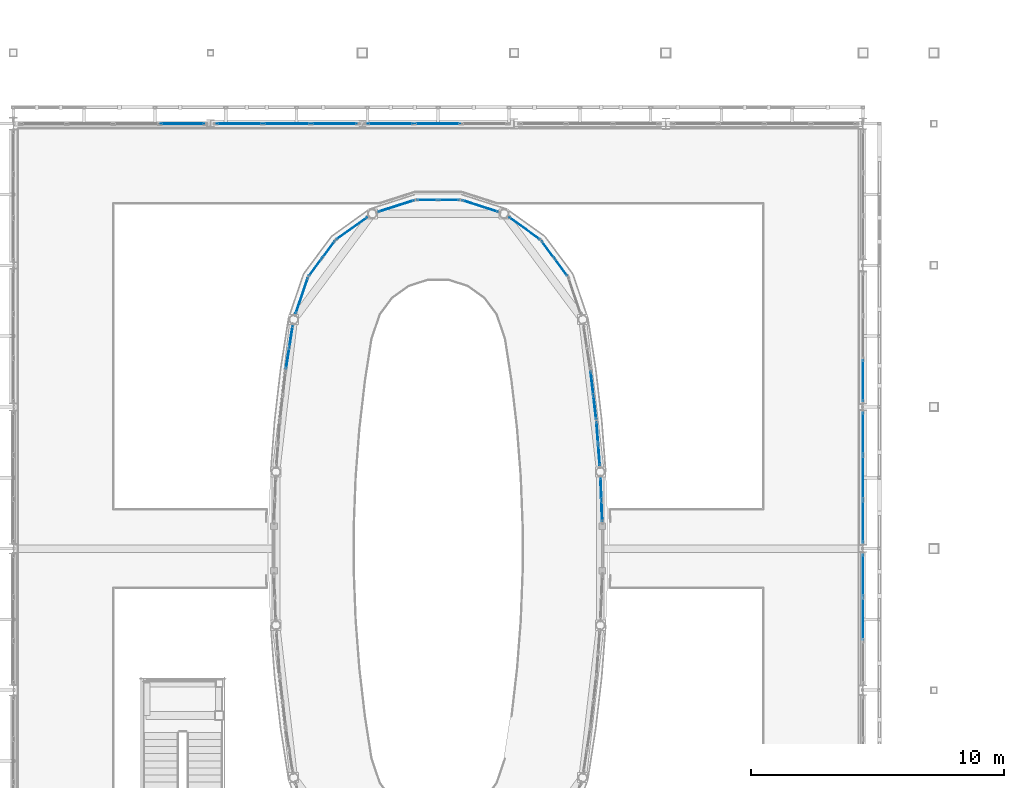
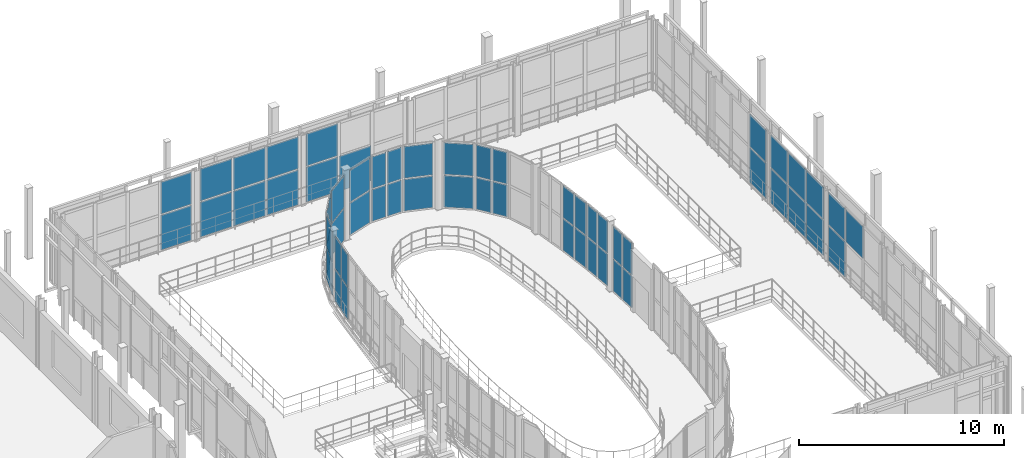
# One storey, part 99 of 138: 60 plates, 18 elements without a shape of their own.
"""IFC4 building model written with IfcOpenShell, lengths in metres."""

from ifc_helpers import new_model, si_unit, direction, frame, origin, origin_2d, place, context, subcontext, project, spatial, rectangle, extrude, material, layer, layer_set, type_object, element, aggregate, save


model = new_model("IFC4")

# Units and contexts
model_context = context("Model", 3, precision=1e-05, world=origin(), true_north=direction((0.0, 1.0)))
body_context = subcontext(model_context, "Body", "Model", "MODEL_VIEW")
ifc_project = project(units=[si_unit("LENGTHUNIT", "METRE"), si_unit("AREAUNIT", "SQUARE_METRE"), si_unit("VOLUMEUNIT", "CUBIC_METRE"), si_unit("PLANEANGLEUNIT", "RADIAN"), si_unit("MASSUNIT", "GRAM", prefix="KILO")], contexts=[model_context])

# Site, building, storey
site_placement = place(None, origin())
site = spatial("IfcSite", under=ifc_project, at=site_placement, CompositionType="ELEMENT")
building_placement = place(site_placement, origin())
building = spatial("IfcBuilding", under=site, at=building_placement, Name="Vinh Khe Railworks Police Headquarters", CompositionType="ELEMENT")
storey_placement = place(building_placement, frame((0.0, 0.0, 9.0)))
storey = spatial("IfcBuildingStorey", under=building, at=storey_placement, Name="L02", CompositionType="ELEMENT", Elevation=9.0)

# Curtain wall, plates
ifc_material_1 = material(Name="Anodised aluminium and acoustic laminated glass", Category="aluminium")
ifc_layer_1 = layer(ifc_material_1, 0.159912109375)
ifc_layer_set_1 = layer_set([ifc_layer_1], Name="Anodised aluminium and acoustic laminated glass")
curtain_wall_type_1 = type_object("IfcCurtainWallType", Name="CW-DRUM-CHORD", PredefinedType="USERDEFINED", material=ifc_layer_set_1)
curtain_wall_1_placement = place(storey_placement, origin())
curtain_wall_1 = element("IfcCurtainWall", 1, at=curtain_wall_1_placement, inside=storey, type_object=curtain_wall_type_1, Name="Elliptical Command Drum Glazing L02 Chord 6", ObjectType="DRUM FACADE GLAZING", PredefinedType="USERDEFINED")
ifc_material_2 = material(Name="Acoustic laminated solar-control glass", Category="glass")
ifc_layer_2 = layer(ifc_material_2, 0.031982421875)
ifc_layer_set_2 = layer_set([ifc_layer_2], Name="Acoustic laminated solar-control glass")
plate_type_1 = type_object("IfcPlateType", Name="PAN-DRUM-32", PredefinedType="CURTAIN_PANEL", material=ifc_layer_set_2)
plate_1_placement = place(storey_placement, frame((49.672119140625, 43.483154296875, 0.06494140625), z_axis=(0.0, 0.0, 1.0), x_axis=(-0.038512684833, 0.999258111354, 0.0)))
plate_1 = element("IfcPlate", 2, at=plate_1_placement, type_object=plate_type_1, Name="CW-02 panel 1.1", PredefinedType="CURTAIN_PANEL", context=body_context, shape_type="SweptSolid", body=[
    extrude(rectangle(XDim=0.814697265625, YDim=0.031982421875, at=origin_2d()), origin(), (0.0, 0.0, 1.0), 1.887451171875),
])
plate_2_placement = place(storey_placement, frame((49.672119140625, 43.483154296875, 2.017578125), z_axis=(0.0, 0.0, 1.0), x_axis=(-0.038512684833, 0.999258111354, 0.0)))
plate_2 = element("IfcPlate", 3, at=plate_2_placement, type_object=plate_type_1, Name="CW-02 panel 1.2", PredefinedType="CURTAIN_PANEL", context=body_context, shape_type="SweptSolid", body=[
    extrude(rectangle(XDim=0.814697265625, YDim=0.031982421875, at=origin_2d()), origin(), (0.0, 0.0, 1.0), 1.887451171875),
])
plate_3_placement = place(storey_placement, frame((49.63818359375, 44.3623046875, 0.06494140625), z_axis=(0.0, 0.0, 1.0), x_axis=(-0.038512684833, 0.999258111354, 0.0)))
plate_3 = element("IfcPlate", 4, at=plate_3_placement, type_object=plate_type_1, Name="CW-02 panel 2.1", PredefinedType="CURTAIN_PANEL", context=body_context, shape_type="SweptSolid", body=[
    extrude(rectangle(XDim=0.814697265625, YDim=0.031982421875, at=origin_2d()), origin(), (0.0, 0.0, 1.0), 1.887451171875),
])
plate_4_placement = place(storey_placement, frame((49.63818359375, 44.3623046875, 2.017578125), z_axis=(0.0, 0.0, 1.0), x_axis=(-0.038512684833, 0.999258111354, 0.0)))
plate_4 = element("IfcPlate", 5, at=plate_4_placement, type_object=plate_type_1, Name="CW-02 panel 2.2", PredefinedType="CURTAIN_PANEL", context=body_context, shape_type="SweptSolid", body=[
    extrude(rectangle(XDim=0.814697265625, YDim=0.031982421875, at=origin_2d()), origin(), (0.0, 0.0, 1.0), 1.887451171875),
])
aggregate(curtain_wall_1, [plate_1, plate_2, plate_3, plate_4])

curtain_wall_2_placement = place(storey_placement, origin())
curtain_wall_2 = element("IfcCurtainWall", 6, at=curtain_wall_2_placement, inside=storey, type_object=curtain_wall_type_1, Name="Elliptical Command Drum Glazing L02 Chord 7", ObjectType="DRUM FACADE GLAZING", PredefinedType="USERDEFINED")
plate_5_placement = place(storey_placement, frame((49.560791015625, 45.7001953125, 0.06494140625), z_axis=(0.0, 0.0, 1.0), x_axis=(-0.076968911839, 0.997033493224, 0.0)))
plate_5 = element("IfcPlate", 7, at=plate_5_placement, type_object=plate_type_1, Name="CW-02 panel 1.1", PredefinedType="CURTAIN_PANEL", context=body_context, shape_type="SweptSolid", body=[
    extrude(rectangle(XDim=0.814697265625, YDim=0.031982421875, at=origin_2d()), origin(), (0.0, 0.0, 1.0), 1.887451171875),
])
plate_6_placement = place(storey_placement, frame((49.560791015625, 45.7001953125, 2.017578125), z_axis=(0.0, 0.0, 1.0), x_axis=(-0.076968911839, 0.997033493224, 0.0)))
plate_6 = element("IfcPlate", 8, at=plate_6_placement, type_object=plate_type_1, Name="CW-02 panel 1.2", PredefinedType="CURTAIN_PANEL", context=body_context, shape_type="SweptSolid", body=[
    extrude(rectangle(XDim=0.814697265625, YDim=0.031982421875, at=origin_2d()), origin(), (0.0, 0.0, 1.0), 1.887451171875),
])
plate_7_placement = place(storey_placement, frame((49.4931640625, 46.57763671875, 0.06494140625), z_axis=(0.0, 0.0, 1.0), x_axis=(-0.076968911839, 0.997033493224, 0.0)))
plate_7 = element("IfcPlate", 9, at=plate_7_placement, type_object=plate_type_1, Name="CW-02 panel 2.1", PredefinedType="CURTAIN_PANEL", context=body_context, shape_type="SweptSolid", body=[
    extrude(rectangle(XDim=0.814697265625, YDim=0.031982421875, at=origin_2d()), origin(), (0.0, 0.0, 1.0), 1.887451171875),
])
plate_8_placement = place(storey_placement, frame((49.4931640625, 46.57763671875, 2.017578125), z_axis=(0.0, 0.0, 1.0), x_axis=(-0.076968911839, 0.997033493224, 0.0)))
plate_8 = element("IfcPlate", 10, at=plate_8_placement, type_object=plate_type_1, Name="CW-02 panel 2.2", PredefinedType="CURTAIN_PANEL", context=body_context, shape_type="SweptSolid", body=[
    extrude(rectangle(XDim=0.814697265625, YDim=0.031982421875, at=origin_2d()), origin(), (0.0, 0.0, 1.0), 1.887451171875),
])
aggregate(curtain_wall_2, [plate_5, plate_6, plate_7, plate_8])

curtain_wall_3_placement = place(storey_placement, origin())
curtain_wall_3 = element("IfcCurtainWall", 11, at=curtain_wall_3_placement, inside=storey, type_object=curtain_wall_type_1, Name="Elliptical Command Drum Glazing L02 Chord 8", ObjectType="DRUM FACADE GLAZING", PredefinedType="USERDEFINED")
plate_9_placement = place(storey_placement, frame((49.396484375, 47.56689453125, 0.06494140625), z_axis=(0.0, 0.0, 1.0), x_axis=(-0.115317737498, 0.993328656296, 0.0)))
plate_9 = element("IfcPlate", 12, at=plate_9_placement, type_object=plate_type_1, Name="CW-02 panel 1.1", PredefinedType="CURTAIN_PANEL", context=body_context, shape_type="SweptSolid", body=[
    extrude(rectangle(XDim=0.913818359375, YDim=0.031982421875, at=origin_2d()), origin(), (0.0, 0.0, 1.0), 1.887451171875),
])
plate_10_placement = place(storey_placement, frame((49.396484375, 47.56689453125, 2.017578125), z_axis=(0.0, 0.0, 1.0), x_axis=(-0.115317737498, 0.993328656296, 0.0)))
plate_10 = element("IfcPlate", 13, at=plate_10_placement, type_object=plate_type_1, Name="CW-02 panel 1.2", PredefinedType="CURTAIN_PANEL", context=body_context, shape_type="SweptSolid", body=[
    extrude(rectangle(XDim=0.913818359375, YDim=0.031982421875, at=origin_2d()), origin(), (0.0, 0.0, 1.0), 1.887451171875),
])
plate_11_placement = place(storey_placement, frame((49.28369140625, 48.5390625, 0.06494140625), z_axis=(0.0, 0.0, 1.0), x_axis=(-0.115317737498, 0.993328656296, 0.0)))
plate_11 = element("IfcPlate", 14, at=plate_11_placement, type_object=plate_type_1, Name="CW-02 panel 2.1", PredefinedType="CURTAIN_PANEL", context=body_context, shape_type="SweptSolid", body=[
    extrude(rectangle(XDim=0.913818359375, YDim=0.031982421875, at=origin_2d()), origin(), (0.0, 0.0, 1.0), 1.887451171875),
])
plate_12_placement = place(storey_placement, frame((49.28369140625, 48.5390625, 2.017578125), z_axis=(0.0, 0.0, 1.0), x_axis=(-0.115317737498, 0.993328656296, 0.0)))
plate_12 = element("IfcPlate", 15, at=plate_12_placement, type_object=plate_type_1, Name="CW-02 panel 2.2", PredefinedType="CURTAIN_PANEL", context=body_context, shape_type="SweptSolid", body=[
    extrude(rectangle(XDim=0.913818359375, YDim=0.031982421875, at=origin_2d()), origin(), (0.0, 0.0, 1.0), 1.887451171875),
])
aggregate(curtain_wall_3, [plate_9, plate_10, plate_11, plate_12])

curtain_wall_4_placement = place(storey_placement, origin())
curtain_wall_4 = element("IfcCurtainWall", 16, at=curtain_wall_4_placement, inside=storey, type_object=curtain_wall_type_1, Name="Elliptical Command Drum Glazing L02 Chord 11", ObjectType="DRUM FACADE GLAZING", PredefinedType="USERDEFINED")
plate_13_placement = place(storey_placement, frame((48.056884765625, 53.126708984375, 0.06494140625), z_axis=(0.0, 0.0, 1.0), x_axis=(-0.596528425784, 0.802591949394, 0.0)))
plate_13 = element("IfcPlate", 17, at=plate_13_placement, type_object=plate_type_1, Name="CW-02 panel 1.1", PredefinedType="CURTAIN_PANEL", context=body_context, shape_type="SweptSolid", body=[
    extrude(rectangle(XDim=0.799560546875, YDim=0.031982421875, at=origin_2d()), origin(), (0.0, 0.0, 1.0), 1.887451171875),
])
plate_14_placement = place(storey_placement, frame((48.056884765625, 53.126708984375, 2.017578125), z_axis=(0.0, 0.0, 1.0), x_axis=(-0.596528425784, 0.802591949394, 0.0)))
plate_14 = element("IfcPlate", 18, at=plate_14_placement, type_object=plate_type_1, Name="CW-02 panel 1.2", PredefinedType="CURTAIN_PANEL", context=body_context, shape_type="SweptSolid", body=[
    extrude(rectangle(XDim=0.799560546875, YDim=0.031982421875, at=origin_2d()), origin(), (0.0, 0.0, 1.0), 1.887451171875),
])
plate_15_placement = place(storey_placement, frame((47.541259765625, 53.820556640625, 0.06494140625), z_axis=(0.0, 0.0, 1.0), x_axis=(-0.596528425784, 0.802591949394, 0.0)))
plate_15 = element("IfcPlate", 19, at=plate_15_placement, type_object=plate_type_1, Name="CW-02 panel 2.1", PredefinedType="CURTAIN_PANEL", context=body_context, shape_type="SweptSolid", body=[
    extrude(rectangle(XDim=0.799560546875, YDim=0.031982421875, at=origin_2d()), origin(), (0.0, 0.0, 1.0), 1.887451171875),
])
plate_16_placement = place(storey_placement, frame((47.541259765625, 53.820556640625, 2.017578125), z_axis=(0.0, 0.0, 1.0), x_axis=(-0.596528425784, 0.802591949394, 0.0)))
plate_16 = element("IfcPlate", 20, at=plate_16_placement, type_object=plate_type_1, Name="CW-02 panel 2.2", PredefinedType="CURTAIN_PANEL", context=body_context, shape_type="SweptSolid", body=[
    extrude(rectangle(XDim=0.799560546875, YDim=0.031982421875, at=origin_2d()), origin(), (0.0, 0.0, 1.0), 1.887451171875),
])
aggregate(curtain_wall_4, [plate_13, plate_14, plate_15, plate_16])

curtain_wall_5_placement = place(storey_placement, origin())
curtain_wall_5 = element("IfcCurtainWall", 21, at=curtain_wall_5_placement, inside=storey, type_object=curtain_wall_type_1, Name="Elliptical Command Drum Glazing L02 Chord 12", ObjectType="DRUM FACADE GLAZING", PredefinedType="USERDEFINED")
plate_17_placement = place(storey_placement, frame((46.614990234375, 54.657958984375, 0.06494140625), z_axis=(0.0, 0.0, 1.0), x_axis=(-0.813249321306, 0.581915407422, 0.0)))
plate_17 = element("IfcPlate", 22, at=plate_17_placement, type_object=plate_type_1, Name="CW-02 panel 1.1", PredefinedType="CURTAIN_PANEL", context=body_context, shape_type="SweptSolid", body=[
    extrude(rectangle(XDim=1.466064453125, YDim=0.031982421875, at=origin_2d()), origin(), (0.0, 0.0, 1.0), 1.887451171875),
])
plate_18_placement = place(storey_placement, frame((46.614990234375, 54.657958984375, 2.017578125), z_axis=(0.0, 0.0, 1.0), x_axis=(-0.813249321306, 0.581915407422, 0.0)))
plate_18 = element("IfcPlate", 23, at=plate_18_placement, type_object=plate_type_1, Name="CW-02 panel 1.2", PredefinedType="CURTAIN_PANEL", context=body_context, shape_type="SweptSolid", body=[
    extrude(rectangle(XDim=1.466064453125, YDim=0.031982421875, at=origin_2d()), origin(), (0.0, 0.0, 1.0), 1.887451171875),
])
aggregate(curtain_wall_5, [plate_17, plate_18])

curtain_wall_6_placement = place(storey_placement, origin())
curtain_wall_6 = element("IfcCurtainWall", 24, at=curtain_wall_6_placement, inside=storey, type_object=curtain_wall_type_1, Name="Elliptical Command Drum Glazing L02 Chord 13", ObjectType="DRUM FACADE GLAZING", PredefinedType="USERDEFINED")
plate_19_placement = place(storey_placement, frame((44.85693359375, 55.541748046875, 0.06494140625), z_axis=(0.0, 0.0, 1.0), x_axis=(-0.952167895959, 0.305575355525, 0.0)))
plate_19 = element("IfcPlate", 25, at=plate_19_placement, type_object=plate_type_1, Name="CW-02 panel 1.1", PredefinedType="CURTAIN_PANEL", context=body_context, shape_type="SweptSolid", body=[
    extrude(rectangle(XDim=1.466064453125, YDim=0.031982421875, at=origin_2d()), origin(), (0.0, 0.0, 1.0), 1.887451171875),
])
plate_20_placement = place(storey_placement, frame((44.85693359375, 55.541748046875, 2.017578125), z_axis=(0.0, 0.0, 1.0), x_axis=(-0.952167895959, 0.305575355525, 0.0)))
plate_20 = element("IfcPlate", 26, at=plate_20_placement, type_object=plate_type_1, Name="CW-02 panel 1.2", PredefinedType="CURTAIN_PANEL", context=body_context, shape_type="SweptSolid", body=[
    extrude(rectangle(XDim=1.466064453125, YDim=0.031982421875, at=origin_2d()), origin(), (0.0, 0.0, 1.0), 1.887451171875),
])
aggregate(curtain_wall_6, [plate_19, plate_20])

curtain_wall_7_placement = place(storey_placement, origin())
curtain_wall_7 = element("IfcCurtainWall", 27, at=curtain_wall_7_placement, inside=storey, type_object=curtain_wall_type_1, Name="Elliptical Command Drum Glazing L02 Chord 14", ObjectType="DRUM FACADE GLAZING", PredefinedType="USERDEFINED")
plate_21_placement = place(storey_placement, frame((43.63232421875, 55.78564453125, 0.06494140625), z_axis=(0.0, 0.0, 1.0), x_axis=(-1.0, 0.0, 0.0)))
plate_21 = element("IfcPlate", 28, at=plate_21_placement, type_object=plate_type_1, Name="CW-02 panel 1.1", PredefinedType="CURTAIN_PANEL", context=body_context, shape_type="SweptSolid", body=[
    extrude(rectangle(XDim=0.799560546875, YDim=0.031982421875, at=origin_2d()), origin(), (0.0, 0.0, 1.0), 1.887451171875),
])
plate_22_placement = place(storey_placement, frame((43.63232421875, 55.78564453125, 2.017578125), z_axis=(0.0, 0.0, 1.0), x_axis=(-1.0, 0.0, 0.0)))
plate_22 = element("IfcPlate", 29, at=plate_22_placement, type_object=plate_type_1, Name="CW-02 panel 1.2", PredefinedType="CURTAIN_PANEL", context=body_context, shape_type="SweptSolid", body=[
    extrude(rectangle(XDim=0.799560546875, YDim=0.031982421875, at=origin_2d()), origin(), (0.0, 0.0, 1.0), 1.887451171875),
])
plate_23_placement = place(storey_placement, frame((42.767822265625, 55.78564453125, 0.06494140625), z_axis=(0.0, 0.0, 1.0), x_axis=(-1.0, 0.0, 0.0)))
plate_23 = element("IfcPlate", 30, at=plate_23_placement, type_object=plate_type_1, Name="CW-02 panel 2.1", PredefinedType="CURTAIN_PANEL", context=body_context, shape_type="SweptSolid", body=[
    extrude(rectangle(XDim=0.799560546875, YDim=0.031982421875, at=origin_2d()), origin(), (0.0, 0.0, 1.0), 1.887451171875),
])
plate_24_placement = place(storey_placement, frame((42.767822265625, 55.78564453125, 2.017578125), z_axis=(0.0, 0.0, 1.0), x_axis=(-1.0, 0.0, 0.0)))
plate_24 = element("IfcPlate", 31, at=plate_24_placement, type_object=plate_type_1, Name="CW-02 panel 2.2", PredefinedType="CURTAIN_PANEL", context=body_context, shape_type="SweptSolid", body=[
    extrude(rectangle(XDim=0.799560546875, YDim=0.031982421875, at=origin_2d()), origin(), (0.0, 0.0, 1.0), 1.887451171875),
])
aggregate(curtain_wall_7, [plate_21, plate_22, plate_23, plate_24])

curtain_wall_8_placement = place(storey_placement, origin())
curtain_wall_8 = element("IfcCurtainWall", 32, at=curtain_wall_8_placement, inside=storey, type_object=curtain_wall_type_1, Name="Elliptical Command Drum Glazing L02 Chord 15", ObjectType="DRUM FACADE GLAZING", PredefinedType="USERDEFINED")
plate_25_placement = place(storey_placement, frame((41.543212890625, 55.541748046875, 0.06494140625), z_axis=(0.0, 0.0, 1.0), x_axis=(-0.952167895959, -0.305575355525, 0.0)))
plate_25 = element("IfcPlate", 33, at=plate_25_placement, type_object=plate_type_1, Name="CW-02 panel 1.1", PredefinedType="CURTAIN_PANEL", context=body_context, shape_type="SweptSolid", body=[
    extrude(rectangle(XDim=1.466064453125, YDim=0.031982421875, at=origin_2d()), origin(), (0.0, 0.0, 1.0), 1.887451171875),
])
plate_26_placement = place(storey_placement, frame((41.543212890625, 55.541748046875, 2.017578125), z_axis=(0.0, 0.0, 1.0), x_axis=(-0.952167895959, -0.305575355525, 0.0)))
plate_26 = element("IfcPlate", 34, at=plate_26_placement, type_object=plate_type_1, Name="CW-02 panel 1.2", PredefinedType="CURTAIN_PANEL", context=body_context, shape_type="SweptSolid", body=[
    extrude(rectangle(XDim=1.466064453125, YDim=0.031982421875, at=origin_2d()), origin(), (0.0, 0.0, 1.0), 1.887451171875),
])
aggregate(curtain_wall_8, [plate_25, plate_26])

curtain_wall_9_placement = place(storey_placement, origin())
curtain_wall_9 = element("IfcCurtainWall", 35, at=curtain_wall_9_placement, inside=storey, type_object=curtain_wall_type_1, Name="Elliptical Command Drum Glazing L02 Chord 16", ObjectType="DRUM FACADE GLAZING", PredefinedType="USERDEFINED")
plate_27_placement = place(storey_placement, frame((39.78515625, 54.657958984375, 0.06494140625), z_axis=(0.0, 0.0, 1.0), x_axis=(-0.813249321306, -0.581915407422, 0.0)))
plate_27 = element("IfcPlate", 36, at=plate_27_placement, type_object=plate_type_1, Name="CW-02 panel 1.1", PredefinedType="CURTAIN_PANEL", context=body_context, shape_type="SweptSolid", body=[
    extrude(rectangle(XDim=1.466064453125, YDim=0.031982421875, at=origin_2d()), origin(), (0.0, 0.0, 1.0), 1.887451171875),
])
plate_28_placement = place(storey_placement, frame((39.78515625, 54.657958984375, 2.017578125), z_axis=(0.0, 0.0, 1.0), x_axis=(-0.813249321306, -0.581915407422, 0.0)))
plate_28 = element("IfcPlate", 37, at=plate_28_placement, type_object=plate_type_1, Name="CW-02 panel 1.2", PredefinedType="CURTAIN_PANEL", context=body_context, shape_type="SweptSolid", body=[
    extrude(rectangle(XDim=1.466064453125, YDim=0.031982421875, at=origin_2d()), origin(), (0.0, 0.0, 1.0), 1.887451171875),
])
aggregate(curtain_wall_9, [plate_27, plate_28])

curtain_wall_10_placement = place(storey_placement, origin())
curtain_wall_10 = element("IfcCurtainWall", 38, at=curtain_wall_10_placement, inside=storey, type_object=curtain_wall_type_1, Name="Elliptical Command Drum Glazing L02 Chord 17", ObjectType="DRUM FACADE GLAZING", PredefinedType="USERDEFINED")
plate_29_placement = place(storey_placement, frame((38.85888671875, 53.820556640625, 0.06494140625), z_axis=(0.0, 0.0, 1.0), x_axis=(-0.596528425784, -0.802591949394, 0.0)))
plate_29 = element("IfcPlate", 39, at=plate_29_placement, type_object=plate_type_1, Name="CW-02 panel 1.1", PredefinedType="CURTAIN_PANEL", context=body_context, shape_type="SweptSolid", body=[
    extrude(rectangle(XDim=0.799560546875, YDim=0.031982421875, at=origin_2d()), origin(), (0.0, 0.0, 1.0), 1.887451171875),
])
plate_30_placement = place(storey_placement, frame((38.85888671875, 53.820556640625, 2.017578125), z_axis=(0.0, 0.0, 1.0), x_axis=(-0.596528425784, -0.802591949394, 0.0)))
plate_30 = element("IfcPlate", 40, at=plate_30_placement, type_object=plate_type_1, Name="CW-02 panel 1.2", PredefinedType="CURTAIN_PANEL", context=body_context, shape_type="SweptSolid", body=[
    extrude(rectangle(XDim=0.799560546875, YDim=0.031982421875, at=origin_2d()), origin(), (0.0, 0.0, 1.0), 1.887451171875),
])
plate_31_placement = place(storey_placement, frame((38.34326171875, 53.126708984375, 0.06494140625), z_axis=(0.0, 0.0, 1.0), x_axis=(-0.596528425784, -0.802591949394, 0.0)))
plate_31 = element("IfcPlate", 41, at=plate_31_placement, type_object=plate_type_1, Name="CW-02 panel 2.1", PredefinedType="CURTAIN_PANEL", context=body_context, shape_type="SweptSolid", body=[
    extrude(rectangle(XDim=0.799560546875, YDim=0.031982421875, at=origin_2d()), origin(), (0.0, 0.0, 1.0), 1.887451171875),
])
plate_32_placement = place(storey_placement, frame((38.34326171875, 53.126708984375, 2.017578125), z_axis=(0.0, 0.0, 1.0), x_axis=(-0.596528425784, -0.802591949394, 0.0)))
plate_32 = element("IfcPlate", 42, at=plate_32_placement, type_object=plate_type_1, Name="CW-02 panel 2.2", PredefinedType="CURTAIN_PANEL", context=body_context, shape_type="SweptSolid", body=[
    extrude(rectangle(XDim=0.799560546875, YDim=0.031982421875, at=origin_2d()), origin(), (0.0, 0.0, 1.0), 1.887451171875),
])
aggregate(curtain_wall_10, [plate_29, plate_30, plate_31, plate_32])

curtain_wall_11_placement = place(storey_placement, origin())
curtain_wall_11 = element("IfcCurtainWall", 43, at=curtain_wall_11_placement, inside=storey, type_object=curtain_wall_type_1, Name="Elliptical Command Drum Glazing L02 Chord 18", ObjectType="DRUM FACADE GLAZING", PredefinedType="USERDEFINED")
plate_33_placement = place(storey_placement, frame((37.808349609375, 51.99853515625, 0.06494140625), z_axis=(0.0, 0.0, 1.0), x_axis=(-0.322746129004, -0.946485571054, 0.0)))
plate_33 = element("IfcPlate", 44, at=plate_33_placement, type_object=plate_type_1, Name="CW-02 panel 1.1", PredefinedType="CURTAIN_PANEL", context=body_context, shape_type="SweptSolid", body=[
    extrude(rectangle(XDim=1.466064453125, YDim=0.031982421875, at=origin_2d()), origin(), (0.0, 0.0, 1.0), 1.887451171875),
])
plate_34_placement = place(storey_placement, frame((37.808349609375, 51.99853515625, 2.017578125), z_axis=(0.0, 0.0, 1.0), x_axis=(-0.322746129004, -0.946485571054, 0.0)))
plate_34 = element("IfcPlate", 45, at=plate_34_placement, type_object=plate_type_1, Name="CW-02 panel 1.2", PredefinedType="CURTAIN_PANEL", context=body_context, shape_type="SweptSolid", body=[
    extrude(rectangle(XDim=1.466064453125, YDim=0.031982421875, at=origin_2d()), origin(), (0.0, 0.0, 1.0), 1.887451171875),
])
aggregate(curtain_wall_11, [plate_33, plate_34])

curtain_wall_12_placement = place(storey_placement, origin())
curtain_wall_12 = element("IfcCurtainWall", 46, at=curtain_wall_12_placement, inside=storey, type_object=curtain_wall_type_1, Name="Elliptical Command Drum Glazing L02 Chord 19", ObjectType="DRUM FACADE GLAZING", PredefinedType="USERDEFINED")
plate_35_placement = place(storey_placement, frame((37.384033203125, 50.3935546875, 0.06494140625), z_axis=(0.0, 0.0, 1.0), x_axis=(-0.153490222159, -0.988150166575, 0.0)))
plate_35 = element("IfcPlate", 47, at=plate_35_placement, type_object=plate_type_1, Name="CW-02 panel 1.1", PredefinedType="CURTAIN_PANEL", context=body_context, shape_type="SweptSolid", body=[
    extrude(rectangle(XDim=0.814697265625, YDim=0.031982421875, at=origin_2d()), origin(), (0.0, 0.0, 1.0), 1.887451171875),
])
plate_36_placement = place(storey_placement, frame((37.384033203125, 50.3935546875, 2.017578125), z_axis=(0.0, 0.0, 1.0), x_axis=(-0.153490222159, -0.988150166575, 0.0)))
plate_36 = element("IfcPlate", 48, at=plate_36_placement, type_object=plate_type_1, Name="CW-02 panel 1.2", PredefinedType="CURTAIN_PANEL", context=body_context, shape_type="SweptSolid", body=[
    extrude(rectangle(XDim=0.814697265625, YDim=0.031982421875, at=origin_2d()), origin(), (0.0, 0.0, 1.0), 1.887451171875),
])
plate_37_placement = place(storey_placement, frame((37.2490234375, 49.524169921875, 0.06494140625), z_axis=(0.0, 0.0, 1.0), x_axis=(-0.153490222159, -0.988150166575, 0.0)))
plate_37 = element("IfcPlate", 49, at=plate_37_placement, type_object=plate_type_1, Name="CW-02 panel 2.1", PredefinedType="CURTAIN_PANEL", context=body_context, shape_type="SweptSolid", body=[
    extrude(rectangle(XDim=0.814697265625, YDim=0.031982421875, at=origin_2d()), origin(), (0.0, 0.0, 1.0), 1.887451171875),
])
plate_38_placement = place(storey_placement, frame((37.2490234375, 49.524169921875, 2.017578125), z_axis=(0.0, 0.0, 1.0), x_axis=(-0.153490222159, -0.988150166575, 0.0)))
plate_38 = element("IfcPlate", 50, at=plate_38_placement, type_object=plate_type_1, Name="CW-02 panel 2.2", PredefinedType="CURTAIN_PANEL", context=body_context, shape_type="SweptSolid", body=[
    extrude(rectangle(XDim=0.814697265625, YDim=0.031982421875, at=origin_2d()), origin(), (0.0, 0.0, 1.0), 1.887451171875),
])
aggregate(curtain_wall_12, [plate_35, plate_36, plate_37, plate_38])

ifc_material_3 = material(Name="Anodised aluminium and low-iron glass", Category="aluminium")
ifc_layer_3 = layer(ifc_material_3, 0.179931640625)
ifc_layer_set_3 = layer_set([ifc_layer_3], Name="Anodised aluminium and low-iron glass")
curtain_wall_type_2 = type_object("IfcCurtainWallType", Name="CW-CUBE-UNIT", PredefinedType="USERDEFINED", material=ifc_layer_set_3)
curtain_wall_13_placement = place(storey_placement, origin())
curtain_wall_13 = element("IfcCurtainWall", 51, at=curtain_wall_13_placement, inside=storey, type_object=curtain_wall_type_2, Name="Entrance Hall Curtain Wall L02 N-1", ObjectType="UNITISED GLAZING", PredefinedType="USERDEFINED")
ifc_material_4 = material(Name="Low-iron laminated solar-control glass", Category="glass")
ifc_layer_4 = layer(ifc_material_4, 0.028076171875)
ifc_layer_set_4 = layer_set([ifc_layer_4], Name="Low-iron laminated solar-control glass")
plate_type_2 = type_object("IfcPlateType", Name="PAN-GLZ-28", PredefinedType="CURTAIN_PANEL", material=ifc_layer_set_4)
plate_39_placement = place(storey_placement, frame((33.091796875, 58.800048828125, 0.070068359375), z_axis=(0.0, 0.0, 1.0), x_axis=(1.0, 0.0, 0.0)))
plate_39 = element("IfcPlate", 52, at=plate_39_placement, type_object=plate_type_2, Name="CW-01 panel 4.1", PredefinedType="CURTAIN_PANEL", context=body_context, shape_type="SweptSolid", body=[
    extrude(rectangle(XDim=1.736328125, YDim=0.028076171875, at=origin_2d()), origin(), (0.0, 0.0, 1.0), 2.0791015625),
])
plate_40_placement = place(storey_placement, frame((33.091796875, 58.800048828125, 2.21923828125), z_axis=(0.0, 0.0, 1.0), x_axis=(1.0, 0.0, 0.0)))
plate_40 = element("IfcPlate", 53, at=plate_40_placement, type_object=plate_type_2, Name="CW-01 panel 4.2", PredefinedType="CURTAIN_PANEL", context=body_context, shape_type="SweptSolid", body=[
    extrude(rectangle(XDim=1.736328125, YDim=0.028076171875, at=origin_2d()), origin(), (0.0, 0.0, 1.0), 1.910888671875),
])
aggregate(curtain_wall_13, [plate_39, plate_40])

curtain_wall_14_placement = place(storey_placement, origin())
curtain_wall_14 = element("IfcCurtainWall", 54, at=curtain_wall_14_placement, inside=storey, type_object=curtain_wall_type_2, Name="Entrance Hall Curtain Wall L02 N-2", ObjectType="UNITISED GLAZING", PredefinedType="USERDEFINED")
plate_41_placement = place(storey_placement, frame((35.334228515625, 58.800048828125, 0.070068359375), z_axis=(0.0, 0.0, 1.0), x_axis=(1.0, 0.0, 0.0)))
plate_41 = element("IfcPlate", 55, at=plate_41_placement, type_object=plate_type_2, Name="CW-01 panel 1.1", PredefinedType="CURTAIN_PANEL", context=body_context, shape_type="SweptSolid", body=[
    extrude(rectangle(XDim=1.788330078125, YDim=0.028076171875, at=origin_2d()), origin(), (0.0, 0.0, 1.0), 2.0791015625),
])
plate_42_placement = place(storey_placement, frame((35.334228515625, 58.800048828125, 2.21923828125), z_axis=(0.0, 0.0, 1.0), x_axis=(1.0, 0.0, 0.0)))
plate_42 = element("IfcPlate", 56, at=plate_42_placement, type_object=plate_type_2, Name="CW-01 panel 1.2", PredefinedType="CURTAIN_PANEL", context=body_context, shape_type="SweptSolid", body=[
    extrude(rectangle(XDim=1.788330078125, YDim=0.028076171875, at=origin_2d()), origin(), (0.0, 0.0, 1.0), 1.910888671875),
])
plate_43_placement = place(storey_placement, frame((37.2099609375, 58.800048828125, 0.070068359375), z_axis=(0.0, 0.0, 1.0), x_axis=(1.0, 0.0, 0.0)))
plate_43 = element("IfcPlate", 57, at=plate_43_placement, type_object=plate_type_2, Name="CW-01 panel 2.1", PredefinedType="CURTAIN_PANEL", context=body_context, shape_type="SweptSolid", body=[
    extrude(rectangle(XDim=1.8232421875, YDim=0.028076171875, at=origin_2d()), origin(), (0.0, 0.0, 1.0), 2.0791015625),
])
plate_44_placement = place(storey_placement, frame((37.2099609375, 58.800048828125, 2.21923828125), z_axis=(0.0, 0.0, 1.0), x_axis=(1.0, 0.0, 0.0)))
plate_44 = element("IfcPlate", 58, at=plate_44_placement, type_object=plate_type_2, Name="CW-01 panel 2.2", PredefinedType="CURTAIN_PANEL", context=body_context, shape_type="SweptSolid", body=[
    extrude(rectangle(XDim=1.8232421875, YDim=0.028076171875, at=origin_2d()), origin(), (0.0, 0.0, 1.0), 1.910888671875),
])
plate_45_placement = place(storey_placement, frame((39.0859375, 58.800048828125, 0.070068359375), z_axis=(0.0, 0.0, 1.0), x_axis=(1.0, 0.0, 0.0)))
plate_45 = element("IfcPlate", 59, at=plate_45_placement, type_object=plate_type_2, Name="CW-01 panel 3.1", PredefinedType="CURTAIN_PANEL", context=body_context, shape_type="SweptSolid", body=[
    extrude(rectangle(XDim=1.788330078125, YDim=0.028076171875, at=origin_2d()), origin(), (0.0, 0.0, 1.0), 2.0791015625),
])
plate_46_placement = place(storey_placement, frame((39.0859375, 58.800048828125, 2.21923828125), z_axis=(0.0, 0.0, 1.0), x_axis=(1.0, 0.0, 0.0)))
plate_46 = element("IfcPlate", 60, at=plate_46_placement, type_object=plate_type_2, Name="CW-01 panel 3.2", PredefinedType="CURTAIN_PANEL", context=body_context, shape_type="SweptSolid", body=[
    extrude(rectangle(XDim=1.788330078125, YDim=0.028076171875, at=origin_2d()), origin(), (0.0, 0.0, 1.0), 1.910888671875),
])
aggregate(curtain_wall_14, [plate_41, plate_42, plate_43, plate_44, plate_45, plate_46])

curtain_wall_15_placement = place(storey_placement, origin())
curtain_wall_15 = element("IfcCurtainWall", 61, at=curtain_wall_15_placement, inside=storey, type_object=curtain_wall_type_2, Name="Entrance Hall Curtain Wall L02 N-3", ObjectType="UNITISED GLAZING", PredefinedType="USERDEFINED")
plate_47_placement = place(storey_placement, frame((41.306640625, 58.800048828125, 0.070068359375), z_axis=(0.0, 0.0, 1.0), x_axis=(1.0, 0.0, 0.0)))
plate_47 = element("IfcPlate", 62, at=plate_47_placement, type_object=plate_type_2, Name="CW-01 panel 1.1", PredefinedType="CURTAIN_PANEL", context=body_context, shape_type="SweptSolid", body=[
    extrude(rectangle(XDim=1.7734375, YDim=0.028076171875, at=origin_2d()), origin(), (0.0, 0.0, 1.0), 2.0791015625),
])
plate_48_placement = place(storey_placement, frame((41.306640625, 58.800048828125, 2.21923828125), z_axis=(0.0, 0.0, 1.0), x_axis=(1.0, 0.0, 0.0)))
plate_48 = element("IfcPlate", 63, at=plate_48_placement, type_object=plate_type_2, Name="CW-01 panel 1.2", PredefinedType="CURTAIN_PANEL", context=body_context, shape_type="SweptSolid", body=[
    extrude(rectangle(XDim=1.7734375, YDim=0.028076171875, at=origin_2d()), origin(), (0.0, 0.0, 1.0), 1.910888671875),
])
plate_49_placement = place(storey_placement, frame((43.16748046875, 58.800048828125, 0.070068359375), z_axis=(0.0, 0.0, 1.0), x_axis=(1.0, 0.0, 0.0)))
plate_49 = element("IfcPlate", 64, at=plate_49_placement, type_object=plate_type_2, Name="CW-01 panel 2.1", PredefinedType="CURTAIN_PANEL", context=body_context, shape_type="SweptSolid", body=[
    extrude(rectangle(XDim=1.808349609375, YDim=0.028076171875, at=origin_2d()), origin(), (0.0, 0.0, 1.0), 2.0791015625),
])
aggregate(curtain_wall_15, [plate_47, plate_48, plate_49])

curtain_wall_16_placement = place(storey_placement, origin())
curtain_wall_16 = element("IfcCurtainWall", 65, at=curtain_wall_16_placement, inside=storey, type_object=curtain_wall_type_2, Name="Entrance Hall Curtain Wall L02 E-3", ObjectType="UNITISED GLAZING", PredefinedType="USERDEFINED")
plate_50_placement = place(storey_placement, frame((60.0, 39.222412109375, 2.21923828125), z_axis=(0.0, 0.0, 1.0), x_axis=(0.0, 1.0, 0.0)))
plate_50 = element("IfcPlate", 66, at=plate_50_placement, type_object=plate_type_2, Name="CW-01 panel 2.2", PredefinedType="CURTAIN_PANEL", context=body_context, shape_type="SweptSolid", body=[
    extrude(rectangle(XDim=1.668212890625, YDim=0.028076171875, at=origin_2d()), origin(), (0.0, 0.0, 1.0), 1.910888671875),
])
plate_51_placement = place(storey_placement, frame((60.0, 40.943359375, 0.070068359375), z_axis=(0.0, 0.0, 1.0), x_axis=(0.0, 1.0, 0.0)))
plate_51 = element("IfcPlate", 67, at=plate_51_placement, type_object=plate_type_2, Name="CW-01 panel 3.1", PredefinedType="CURTAIN_PANEL", context=body_context, shape_type="SweptSolid", body=[
    extrude(rectangle(XDim=1.63330078125, YDim=0.028076171875, at=origin_2d()), origin(), (0.0, 0.0, 1.0), 2.0791015625),
])
plate_52_placement = place(storey_placement, frame((60.0, 40.943359375, 2.21923828125), z_axis=(0.0, 0.0, 1.0), x_axis=(0.0, 1.0, 0.0)))
plate_52 = element("IfcPlate", 68, at=plate_52_placement, type_object=plate_type_2, Name="CW-01 panel 3.2", PredefinedType="CURTAIN_PANEL", context=body_context, shape_type="SweptSolid", body=[
    extrude(rectangle(XDim=1.63330078125, YDim=0.028076171875, at=origin_2d()), origin(), (0.0, 0.0, 1.0), 1.910888671875),
])
aggregate(curtain_wall_16, [plate_50, plate_51, plate_52])

curtain_wall_17_placement = place(storey_placement, origin())
curtain_wall_17 = element("IfcCurtainWall", 69, at=curtain_wall_17_placement, inside=storey, type_object=curtain_wall_type_2, Name="Entrance Hall Curtain Wall L02 E-4", ObjectType="UNITISED GLAZING", PredefinedType="USERDEFINED")
plate_53_placement = place(storey_placement, frame((60.0, 43.0673828125, 0.070068359375), z_axis=(0.0, 0.0, 1.0), x_axis=(0.0, 1.0, 0.0)))
plate_53 = element("IfcPlate", 70, at=plate_53_placement, type_object=plate_type_2, Name="CW-01 panel 1.1", PredefinedType="CURTAIN_PANEL", context=body_context, shape_type="SweptSolid", body=[
    extrude(rectangle(XDim=1.655029296875, YDim=0.028076171875, at=origin_2d()), origin(), (0.0, 0.0, 1.0), 2.0791015625),
])
plate_54_placement = place(storey_placement, frame((60.0, 43.0673828125, 2.21923828125), z_axis=(0.0, 0.0, 1.0), x_axis=(0.0, 1.0, 0.0)))
plate_54 = element("IfcPlate", 71, at=plate_54_placement, type_object=plate_type_2, Name="CW-01 panel 1.2", PredefinedType="CURTAIN_PANEL", context=body_context, shape_type="SweptSolid", body=[
    extrude(rectangle(XDim=1.655029296875, YDim=0.028076171875, at=origin_2d()), origin(), (0.0, 0.0, 1.0), 1.910888671875),
])
plate_55_placement = place(storey_placement, frame((60.0, 44.81005859375, 0.070068359375), z_axis=(0.0, 0.0, 1.0), x_axis=(0.0, 1.0, 0.0)))
plate_55 = element("IfcPlate", 72, at=plate_55_placement, type_object=plate_type_2, Name="CW-01 panel 2.1", PredefinedType="CURTAIN_PANEL", context=body_context, shape_type="SweptSolid", body=[
    extrude(rectangle(XDim=1.68994140625, YDim=0.028076171875, at=origin_2d()), origin(), (0.0, 0.0, 1.0), 2.0791015625),
])
plate_56_placement = place(storey_placement, frame((60.0, 44.81005859375, 2.21923828125), z_axis=(0.0, 0.0, 1.0), x_axis=(0.0, 1.0, 0.0)))
plate_56 = element("IfcPlate", 73, at=plate_56_placement, type_object=plate_type_2, Name="CW-01 panel 2.2", PredefinedType="CURTAIN_PANEL", context=body_context, shape_type="SweptSolid", body=[
    extrude(rectangle(XDim=1.68994140625, YDim=0.028076171875, at=origin_2d()), origin(), (0.0, 0.0, 1.0), 1.910888671875),
])
plate_57_placement = place(storey_placement, frame((60.0, 46.552490234375, 0.070068359375), z_axis=(0.0, 0.0, 1.0), x_axis=(0.0, 1.0, 0.0)))
plate_57 = element("IfcPlate", 74, at=plate_57_placement, type_object=plate_type_2, Name="CW-01 panel 3.1", PredefinedType="CURTAIN_PANEL", context=body_context, shape_type="SweptSolid", body=[
    extrude(rectangle(XDim=1.655029296875, YDim=0.028076171875, at=origin_2d()), origin(), (0.0, 0.0, 1.0), 2.0791015625),
])
plate_58_placement = place(storey_placement, frame((60.0, 46.552490234375, 2.21923828125), z_axis=(0.0, 0.0, 1.0), x_axis=(0.0, 1.0, 0.0)))
plate_58 = element("IfcPlate", 75, at=plate_58_placement, type_object=plate_type_2, Name="CW-01 panel 3.2", PredefinedType="CURTAIN_PANEL", context=body_context, shape_type="SweptSolid", body=[
    extrude(rectangle(XDim=1.655029296875, YDim=0.028076171875, at=origin_2d()), origin(), (0.0, 0.0, 1.0), 1.910888671875),
])
aggregate(curtain_wall_17, [plate_53, plate_54, plate_55, plate_56, plate_57, plate_58])

curtain_wall_18_placement = place(storey_placement, origin())
curtain_wall_18 = element("IfcCurtainWall", 76, at=curtain_wall_18_placement, inside=storey, type_object=curtain_wall_type_2, Name="Entrance Hall Curtain Wall L02 E-5", ObjectType="UNITISED GLAZING", PredefinedType="USERDEFINED")
plate_59_placement = place(storey_placement, frame((60.0, 48.631591796875, 0.070068359375), z_axis=(0.0, 0.0, 1.0), x_axis=(0.0, 1.0, 0.0)))
plate_59 = element("IfcPlate", 77, at=plate_59_placement, type_object=plate_type_2, Name="CW-01 panel 1.1", PredefinedType="CURTAIN_PANEL", context=body_context, shape_type="SweptSolid", body=[
    extrude(rectangle(XDim=1.623291015625, YDim=0.028076171875, at=origin_2d()), origin(), (0.0, 0.0, 1.0), 2.0791015625),
])
plate_60_placement = place(storey_placement, frame((60.0, 48.631591796875, 2.21923828125), z_axis=(0.0, 0.0, 1.0), x_axis=(0.0, 1.0, 0.0)))
plate_60 = element("IfcPlate", 78, at=plate_60_placement, type_object=plate_type_2, Name="CW-01 panel 1.2", PredefinedType="CURTAIN_PANEL", context=body_context, shape_type="SweptSolid", body=[
    extrude(rectangle(XDim=1.623291015625, YDim=0.028076171875, at=origin_2d()), origin(), (0.0, 0.0, 1.0), 1.910888671875),
])
aggregate(curtain_wall_18, [plate_59, plate_60])

save(model, "model.ifc")
